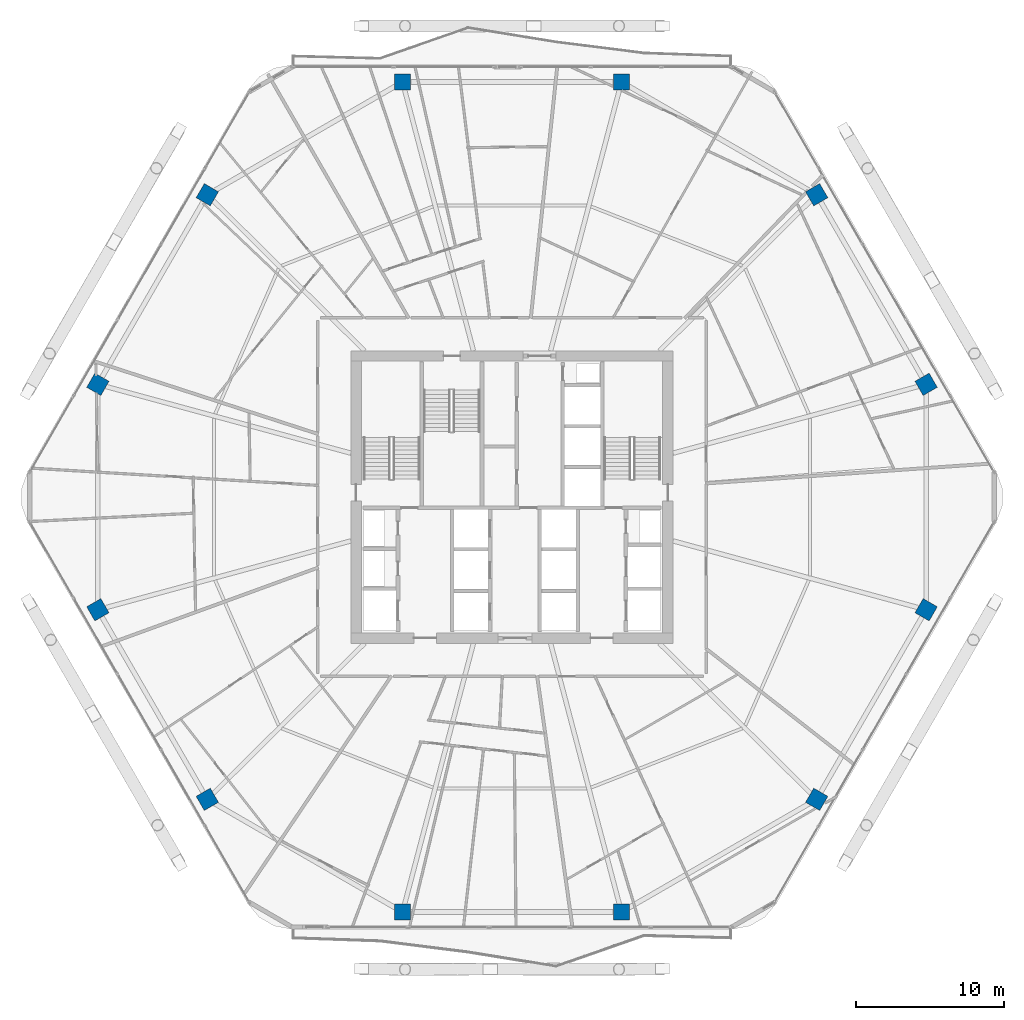
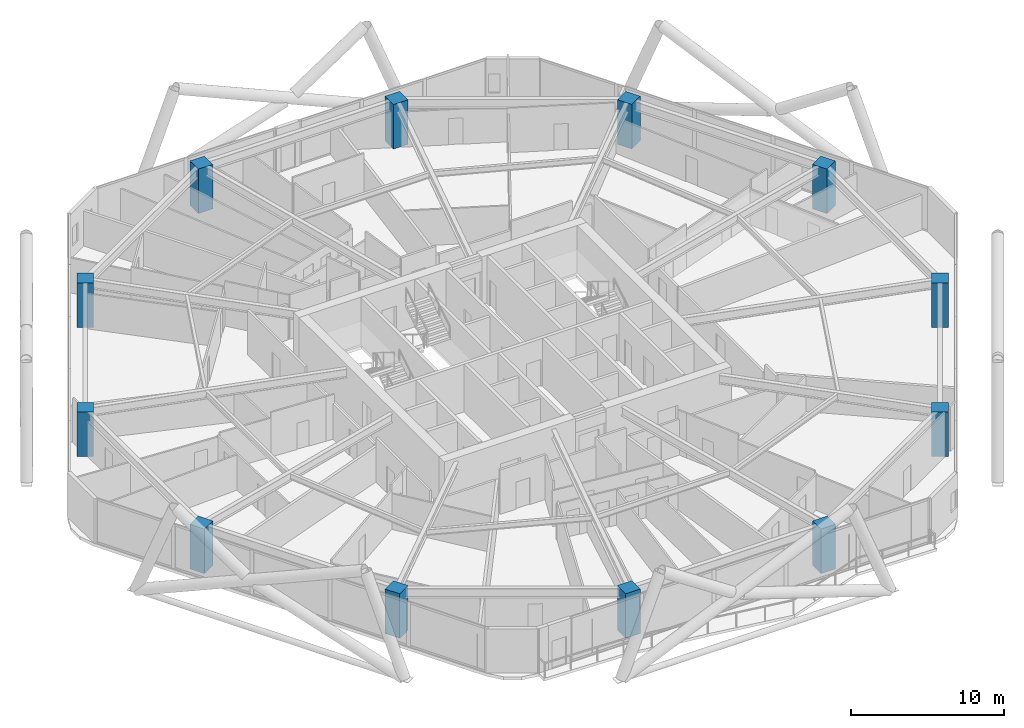
# One storey, part 1 of 35: 12 columns.
"""IFC4 building model written with IfcOpenShell, lengths in metres."""

from ifc_helpers import new_model, si_unit, direction, frame, origin, origin_2d, place, context, subcontext, project, spatial, rectangle, extrude, material, material_profile, profile_set, type_object, element, save


model = new_model("IFC4")

# Units and contexts
model_context = context("Model", 3, precision=1e-05, world=origin(), true_north=direction((0.0, 1.0)))
body_context = subcontext(model_context, "Body", "Model", "MODEL_VIEW")
ifc_project = project(units=[si_unit("LENGTHUNIT", "METRE"), si_unit("AREAUNIT", "SQUARE_METRE"), si_unit("VOLUMEUNIT", "CUBIC_METRE"), si_unit("PLANEANGLEUNIT", "RADIAN"), si_unit("MASSUNIT", "GRAM", prefix="KILO")], contexts=[model_context])

# Site, building, storey
site_placement = place(None, origin())
site = spatial("IfcSite", under=ifc_project, at=site_placement, CompositionType="ELEMENT")
building_placement = place(site_placement, origin())
building = spatial("IfcBuilding", under=site, at=building_placement, Name="Zuhravey Tower", CompositionType="ELEMENT")
storey_placement = place(building_placement, frame((0.0, 0.0, 92.39990234375)))
storey = spatial("IfcBuildingStorey", under=building, at=storey_placement, Name="L22", CompositionType="ELEMENT", Elevation=92.39990234375)

# Columns
ifc_material = material(Name="Concrete C60/75", Category="concrete")
ifc_material_profile = material_profile(ifc_material, rectangle(XDim=1.10009765625, YDim=1.10009765625, at=origin_2d()), Name="RC-1100x1100")
ifc_profile_set = profile_set([ifc_material_profile], Name="Concrete C60/75")
column_type = type_object("IfcColumnType", Name="Zone 1 Upper Column 1100x1100", PredefinedType="COLUMN", material=ifc_profile_set)
for number, where, z_axis, x_axis, name in (
    (1, (63.88916015625, 39.591552734375, 0.0), (0.0, 0.0, 1.0), (-0.5, 0.866025403784, 0.0), "L22 Perimeter Column PC01"),
    (2, (56.51904296875, 52.35693359375, 0.0), (0.0, 0.0, 1.0), (-0.5, 0.866025403784, 0.0), "L22 Perimeter Column PC02"),
    (3, (43.3701171875, 59.948486328125, 0.0), (0.0, 0.0, 1.0), (-1.0, 0.0, 0.0), "L22 Perimeter Column PC03"),
    (4, (28.6298828125, 59.948486328125, 0.0), (0.0, 0.0, 1.0), (-1.0, 0.0, 0.0), "L22 Perimeter Column PC04"),
    (5, (15.48095703125, 52.35693359375, 0.0), (0.0, 0.0, 1.0), (-0.5, -0.866025403784, 0.0), "L22 Perimeter Column PC05"),
    (6, (8.11083984375, 39.591552734375, 0.0), (0.0, 0.0, 1.0), (-0.5, -0.866025403784, 0.0), "L22 Perimeter Column PC06"),
    (7, (8.11083984375, 24.408447265625, 0.0), (0.0, 0.0, 1.0), (0.5, -0.866025403784, 0.0), "L22 Perimeter Column PC07"),
    (8, (15.48095703125, 11.64306640625, 0.0), (0.0, 0.0, 1.0), (0.5, -0.866025403784, 0.0), "L22 Perimeter Column PC08"),
    (9, (28.6298828125, 4.051513671875, 0.0), (0.0, 0.0, 1.0), (1.0, 0.0, 0.0), "L22 Perimeter Column PC09"),
    (10, (43.3701171875, 4.051513671875, 0.0), (0.0, 0.0, 1.0), (1.0, 0.0, 0.0), "L22 Perimeter Column PC10"),
    (11, (56.51904296875, 11.64306640625, 0.0), (0.0, 0.0, 1.0), (0.5, 0.866025403784, 0.0), "L22 Perimeter Column PC11"),
    (12, (63.88916015625, 24.408447265625, 0.0), (0.0, 0.0, 1.0), (0.5, 0.866025403784, 0.0), "L22 Perimeter Column PC12"),
):
    element("IfcColumn", number, at=place(storey_placement, frame(where, z_axis=z_axis, x_axis=x_axis)), inside=storey, type_object=column_type, Name=name, PredefinedType="COLUMN", context=body_context, shape_type="SweptSolid", body=[
        extrude(rectangle(XDim=1.10009765625, YDim=1.10009765625, at=origin_2d()), origin(), (0.0, 0.0, 1.0), 3.550048828125),
    ])

save(model, "model.ifc")
